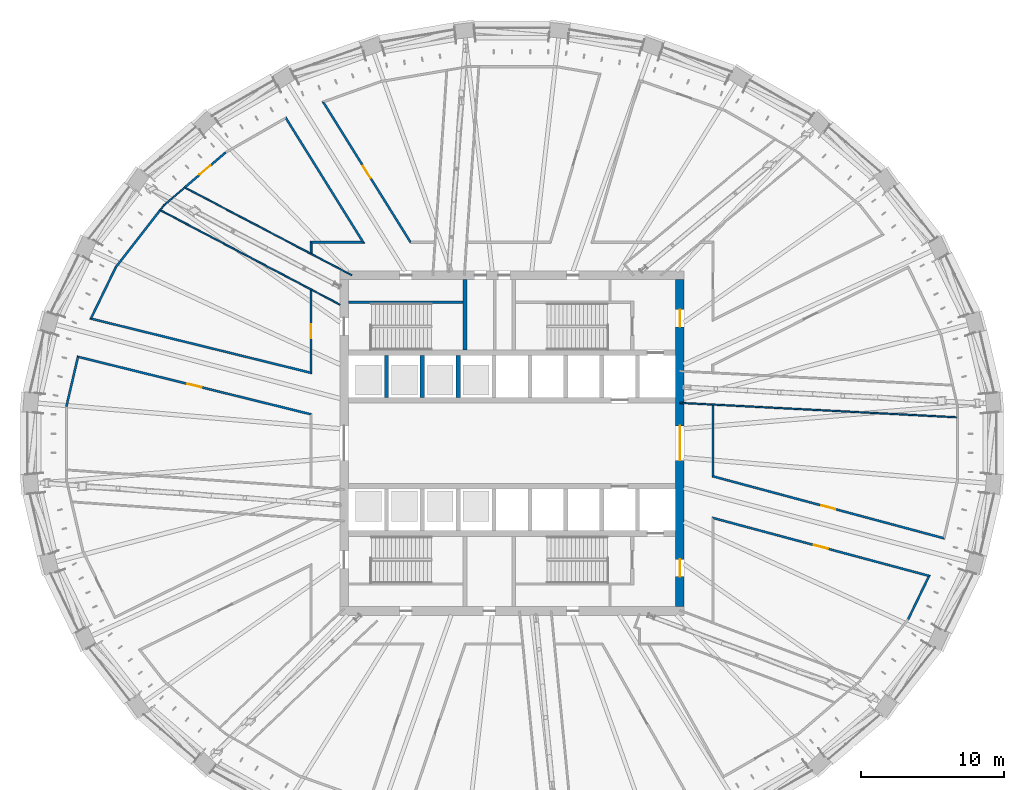
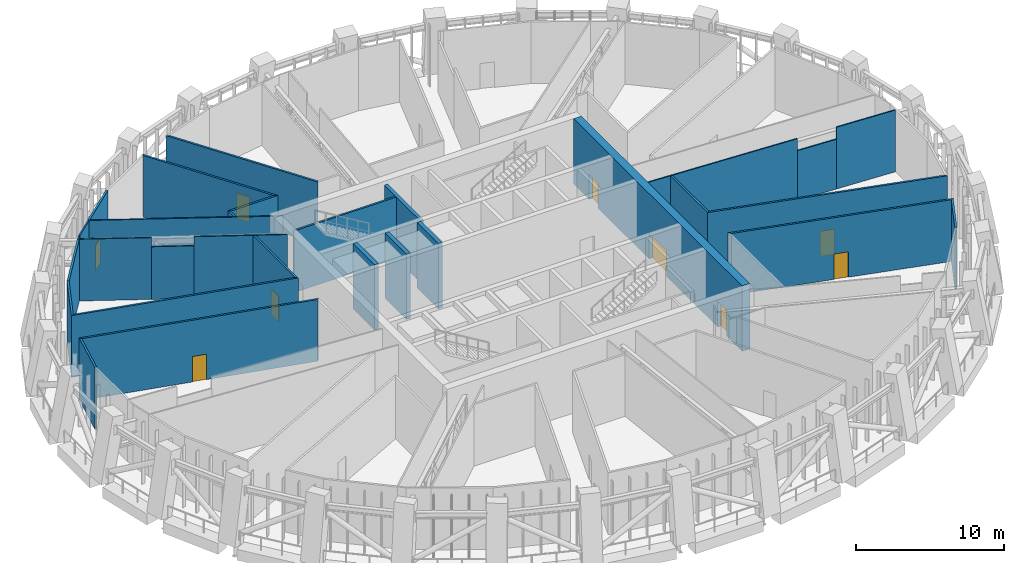
# One storey, part 9 of 21: 30 walls, 9 doors, 9 openings.
"""IFC4 building model written with IfcOpenShell, lengths in metres."""

from ifc_helpers import new_model, si_unit, direction, frame, frame_2d, origin, place, context, subcontext, project, spatial, polyline, rectangle, outline, extrude, material, layer, layer_set, type_object, element, fill, save


model = new_model("IFC4")

# Units and contexts
model_context = context("Model", 3, precision=1e-05, world=origin(), true_north=direction((0.0, 1.0)))
body_context = subcontext(model_context, "Body", "Model", "MODEL_VIEW")
ifc_project = project(units=[si_unit("LENGTHUNIT", "METRE"), si_unit("AREAUNIT", "SQUARE_METRE"), si_unit("VOLUMEUNIT", "CUBIC_METRE"), si_unit("PLANEANGLEUNIT", "RADIAN"), si_unit("MASSUNIT", "GRAM", prefix="KILO")], contexts=[model_context])

# Site, building, storey
site_placement = place(None, origin())
site = spatial("IfcSite", under=ifc_project, at=site_placement, CompositionType="ELEMENT")
building_placement = place(site_placement, origin())
building = spatial("IfcBuilding", under=site, at=building_placement, Name="Halqa Exchange Tower", CompositionType="ELEMENT")
storey_placement = place(building_placement, frame((0.0, 0.0, 173.5)))
storey = spatial("IfcBuildingStorey", under=building, at=storey_placement, Name="L39", CompositionType="ELEMENT", Elevation=173.5)

# Walls
ifc_material_1 = material(Name="Fire-rated gypsum board")
ifc_layer_1 = layer(ifc_material_1, 0.14990234375)
ifc_layer_set_1 = layer_set([ifc_layer_1], Name="Fire-rated gypsum board")
wall_type_1 = type_object("IfcWallType", Name="Fire partition EI 60 150", PredefinedType="PARTITIONING", material=ifc_layer_set_1)
wall_1_placement = place(storey_placement, frame((-30.23291015625, 6.093994140625, 0.0), z_axis=(0.0, 0.0, 1.0), x_axis=(-0.226672533553, -0.973971027563, 0.0)))
element("IfcWall", 1, at=wall_1_placement, inside=storey, type_object=wall_type_1, Name="L39-PWL-007", PredefinedType="PARTITIONING", context=body_context, shape_type="SweptSolid", body=[
    extrude(outline(polyline([(0.0, -0.074951171875), (1.828857421875, -0.074951171875), (3.657470703125, -0.074951171875), (3.640380859375, 0.074951171875), (1.89599609375, 0.074951171875), (0.15185546875, 0.074951171875), (0.0, -0.07470703125), (0.0, -0.074951171875)])), origin(), (0.0, 0.0, 1.0), 5.10009765625),
])
wall_2_placement = place(storey_placement, frame((-29.43994140625, 8.7021484375, 0.0), z_axis=(0.0, 0.0, 1.0), x_axis=(0.970993786042, -0.239104720713, 0.0)))
element("IfcWall", 2, at=wall_2_placement, inside=storey, type_object=wall_type_1, Name="L39-PWL-009", PredefinedType="PARTITIONING", context=body_context, shape_type="SweptSolid", body=[
    extrude(outline(polyline([(0.0, -0.074951171875), (1.99951171875, -0.074951171875), (3.999267578125, -0.074951171875), (5.998779296875, -0.074951171875), (7.998291015625, -0.074951171875), (9.998046875, -0.074951171875), (11.99755859375, -0.074951171875), (13.9970703125, -0.074951171875), (15.996826171875, -0.074951171875), (15.805419921875, 0.074951171875), (13.852783203125, 0.074951171875), (11.900390625, 0.074951171875), (9.94775390625, 0.074951171875), (7.995361328125, 0.074951171875), (6.042724609375, 0.074951171875), (4.09033203125, 0.074951171875), (2.1376953125, 0.074951171875), (0.185302734375, 0.074951171875), (0.0, -0.074951171875)])), origin(), (0.0, 0.0, 1.0), 5.10009765625),
])
wall_3_placement = place(storey_placement, frame((-27.606689453125, 12.277099609375, 0.0), z_axis=(0.0, 0.0, 1.0), x_axis=(-0.436124110256, -0.899886526432, 0.0)))
element("IfcWall", 3, at=wall_3_placement, inside=storey, type_object=wall_type_1, Name="L39-PWL-011", PredefinedType="PARTITIONING", context=body_context, shape_type="SweptSolid", body=[
    extrude(outline(polyline([(4.08984375, -0.074951171875), (4.08984375, -0.074951171875), (3.90478515625, 0.074951171875), (1.960205078125, 0.074951171875), (0.015625, 0.074951171875), (0.0, -0.07421875), (0.0, -0.074951171875), (1.36328125, -0.074951171875), (2.7265625, -0.074951171875), (4.08984375, -0.074951171875)])), origin(), (0.0, 0.0, 1.0), 5.10009765625),
])
wall_4_placement = place(storey_placement, frame((-24.52001953125, 16.239990234375, 0.0), z_axis=(0.0, 0.0, 1.0), x_axis=(-0.614245825057, -0.789114735891, 0.0)))
element("IfcWall", 4, at=wall_4_placement, inside=storey, type_object=wall_type_1, Name="L39-PWL-014", PredefinedType="PARTITIONING", context=body_context, shape_type="SweptSolid", body=[
    extrude(outline(polyline([(5.03857421875, -0.074951171875), (5.03857421875, -0.07373046875), (5.02294921875, 0.074951171875), (3.3486328125, 0.074951171875), (1.67431640625, 0.074951171875), (0.0, 0.074951171875), (0.0, -0.074951171875), (1.679443359375, -0.074951171875), (3.359130859375, -0.074951171875), (5.03857421875, -0.074951171875)])), origin(), (0.0, 0.0, 1.0), 5.10009765625),
])

# Wall, opening, door
wall_5_placement = place(storey_placement, frame((-19.95458984375, 20.2646484375, 0.0), z_axis=(0.0, 0.0, 1.0), x_axis=(-0.759646161608, -0.65033661219, 0.0)))
wall_5 = element("IfcWall", 5, at=wall_5_placement, inside=storey, type_object=wall_type_1, Name="L39-PWL-023", PredefinedType="PARTITIONING", context=body_context, shape_type="SweptSolid", body=[
    extrude(outline(polyline([(3.759033203125, 0.074951171875), (1.88671875, 0.074951171875), (0.01416015625, 0.074951171875), (0.0, -0.074951171875), (1.879638671875, -0.074951171875), (3.759033203125, -0.074951171875), (3.759033203125, 0.074951171875)])), origin(), (0.0, 0.0, 1.0), 5.10009765625),
])
opening_1_placement = place(wall_5_placement, frame((1.383056640625, 0.0, 0.0)))
opening_1 = element("IfcOpeningElement", 6, at=opening_1_placement, cuts=wall_5, Name="Opening L39-14", PredefinedType="OPENING", context=body_context, shape_type="SweptSolid", body=[
    extrude(rectangle(XDim=1.0, YDim=2.10009765625, at=frame_2d((0.5, 1.050048828125))), frame((0.0, 0.0869140625, 0.0), z_axis=(0.0, -1.0, 0.0), x_axis=(1.0, 0.0, 0.0)), (0.0, 0.0, 1.0), 0.173828125),
])
ifc_material_2 = material(Name="Steel fire door leaf", Category="steel")
door_type_1 = type_object("IfcDoorType", Name="Fire door FD30S 1000 x 2100", OperationType="SINGLE_SWING_LEFT", PredefinedType="DOOR", material=ifc_material_2)
door_1_placement = place(opening_1_placement, origin())
door_1 = element("IfcDoor", 7, at=door_1_placement, inside=storey, type_object=door_type_1, Name="L39-IDR-014", OperationType="SINGLE_SWING_LEFT", OverallHeight=2.10009765625, OverallWidth=1.0, PredefinedType="DOOR", context=body_context, shape_type="SweptSolid", body=[
    extrude(rectangle(XDim=1.0, YDim=2.10009765625, at=frame_2d((0.5, 1.050048828125))), frame((0.0, 0.02490234375, 0.0), z_axis=(0.0, -1.0, 0.0), x_axis=(1.0, 0.0, 0.0)), (0.0, 0.0, 1.0), 0.050048828125),
])
fill(opening_1, door_1)

# Wall
wall_6_placement = place(storey_placement, frame((-15.798095703125, 22.72119140625, 0.0), z_axis=(0.0, 0.0, 1.0), x_axis=(0.528422889456, -0.848981301266, 0.0)))
element("IfcWall", 8, at=wall_6_placement, inside=storey, type_object=wall_type_1, Name="L39-PWL-027", PredefinedType="PARTITIONING", context=body_context, shape_type="SweptSolid", body=[
    extrude(outline(polyline([(0.144287109375, -0.074951171875), (2.14306640625, -0.074951171875), (4.1416015625, -0.074951171875), (6.140380859375, -0.074951171875), (8.13916015625, -0.074951171875), (10.1376953125, -0.074951171875), (10.407470703125, 0.074951171875), (10.407470703125, 0.074951171875), (8.6728515625, 0.074951171875), (6.938232421875, 0.074951171875), (5.20361328125, 0.074951171875), (3.46923828125, 0.074951171875), (1.734619140625, 0.074951171875), (0.0, 0.074951171875), (0.0, 0.074951171875), (0.144287109375, -0.074951171875)])), origin(), (0.0, 0.0, 1.0), 5.10009765625),
])

# Wall, opening, door
wall_7_placement = place(storey_placement, frame((-13.943115234375, 1.995849609375, 0.0), z_axis=(0.0, 0.0, 1.0), x_axis=(-0.970875987764, 0.239582587814, 0.0)))
wall_7 = element("IfcWall", 9, at=wall_7_placement, inside=storey, type_object=wall_type_1, Name="L39-PWL-031", PredefinedType="PARTITIONING", context=body_context, shape_type="SweptSolid", body=[
    extrude(outline(polyline([(0.0, -0.074951171875), (1.874755859375, -0.074951171875), (3.749267578125, -0.074951171875), (5.6240234375, -0.074951171875), (7.49853515625, -0.074951171875), (9.373291015625, -0.074951171875), (11.248046875, -0.074951171875), (13.12255859375, -0.074951171875), (14.997314453125, -0.074951171875), (16.871826171875, -0.074951171875), (16.719970703125, 0.074951171875), (14.875244140625, 0.074951171875), (13.030517578125, 0.074951171875), (11.185791015625, 0.074951171875), (9.341064453125, 0.074951171875), (7.496337890625, 0.074951171875), (5.651611328125, 0.074951171875), (3.806884765625, 0.074951171875), (1.962158203125, 0.074951171875), (0.117431640625, 0.074951171875), (0.0, -0.074951171875)])), origin(), (0.0, 0.0, 1.0), 5.10009765625),
])
opening_2_placement = place(wall_7_placement, frame((7.927490234375, 0.0, 0.0)))
opening_2 = element("IfcOpeningElement", 10, at=opening_2_placement, cuts=wall_7, Name="Opening L39-16", PredefinedType="OPENING", context=body_context, shape_type="SweptSolid", body=[
    extrude(rectangle(XDim=1.0, YDim=2.10009765625, at=frame_2d((0.5, 1.050048828125))), frame((0.0, 0.0869140625, 0.0), z_axis=(0.0, -1.0, 0.0), x_axis=(1.0, 0.0, 0.0)), (0.0, 0.0, 1.0), 0.173828125),
])
door_2_placement = place(opening_2_placement, origin())
door_2 = element("IfcDoor", 11, at=door_2_placement, inside=storey, type_object=door_type_1, Name="L39-IDR-016", OperationType="SINGLE_SWING_LEFT", OverallHeight=2.10009765625, OverallWidth=1.0, PredefinedType="DOOR", context=body_context, shape_type="SweptSolid", body=[
    extrude(rectangle(XDim=1.0, YDim=2.10009765625, at=frame_2d((0.5, 1.050048828125))), frame((0.0, 0.02490234375, 0.0), z_axis=(0.0, -1.0, 0.0), x_axis=(1.0, 0.0, 0.0)), (0.0, 0.0, 1.0), 0.050048828125),
])
fill(opening_2, door_2)

wall_8_placement = place(storey_placement, frame((-14.0, 4.80419921875, 0.0), z_axis=(0.0, 0.0, 1.0), x_axis=(0.0, 1.0, 0.0)))
wall_8 = element("IfcWall", 12, at=wall_8_placement, inside=storey, type_object=wall_type_1, Name="L39-PWL-032", PredefinedType="PARTITIONING", context=body_context, shape_type="SweptSolid", body=[
    extrude(outline(polyline([(0.000244140625, -0.074951171875), (1.936767578125, -0.074951171875), (3.873291015625, -0.074951171875), (5.809814453125, -0.074951171875), (5.88818359375, 0.073974609375), (5.88818359375, 0.074951171875), (3.9892578125, 0.074951171875), (2.09033203125, 0.074951171875), (0.19140625, 0.074951171875), (0.095703125, 0.0), (0.000244140625, -0.074951171875)])), origin(), (0.0, 0.0, 1.0), 5.10009765625),
])
opening_3_placement = place(wall_8_placement, frame((2.49560546875, 0.0, 0.0)))
opening_3 = element("IfcOpeningElement", 13, at=opening_3_placement, cuts=wall_8, Name="Opening L39-15", PredefinedType="OPENING", context=body_context, shape_type="SweptSolid", body=[
    extrude(rectangle(XDim=1.0, YDim=2.10009765625, at=frame_2d((0.5, 1.050048828125))), frame((0.0, 0.0869140625, 0.0), z_axis=(0.0, -1.0, 0.0), x_axis=(1.0, 0.0, 0.0)), (0.0, 0.0, 1.0), 0.173828125),
])
door_3_placement = place(opening_3_placement, origin())
door_3 = element("IfcDoor", 14, at=door_3_placement, inside=storey, type_object=door_type_1, Name="L39-IDR-015", OperationType="SINGLE_SWING_LEFT", OverallHeight=2.10009765625, OverallWidth=1.0, PredefinedType="DOOR", context=body_context, shape_type="SweptSolid", body=[
    extrude(rectangle(XDim=1.0, YDim=2.10009765625, at=frame_2d((0.5, 1.050048828125))), frame((0.0, 0.02490234375, 0.0), z_axis=(0.0, -1.0, 0.0), x_axis=(1.0, 0.0, 0.0)), (0.0, 0.0, 1.0), 0.050048828125),
])
fill(opening_3, door_3)

# Walls
wall_9_placement = place(storey_placement, frame((-14.0, 13.20947265625, 0.0), z_axis=(0.0, 0.0, 1.0), x_axis=(0.0, 1.0, 0.0)))
element("IfcWall", 15, at=wall_9_placement, inside=storey, type_object=wall_type_1, Name="L39-PWL-033", PredefinedType="PARTITIONING", context=body_context, shape_type="SweptSolid", body=[
    extrude(outline(polyline([(0.0, -0.074951171875), (0.715576171875, -0.074951171875), (0.865478515625, 0.074951171875), (0.078369140625, 0.074951171875), (0.0, -0.07421875), (0.0, -0.074951171875)])), origin(), (0.0, 0.0, 1.0), 5.10009765625),
])
wall_10_placement = place(storey_placement, frame((-14.074951171875, 14.0, 0.0), z_axis=(0.0, 0.0, 1.0), x_axis=(1.0, 0.0, 0.0)))
element("IfcWall", 16, at=wall_10_placement, inside=storey, type_object=wall_type_1, Name="L39-PWL-034", PredefinedType="PARTITIONING", context=body_context, shape_type="SweptSolid", body=[
    extrude(outline(polyline([(3.83984375, -0.074951171875), (3.83984375, -0.074951171875), (3.570068359375, 0.074951171875), (1.784912109375, 0.074951171875), (0.0, 0.074951171875), (0.14990234375, -0.074951171875), (1.994873046875, -0.074951171875), (3.83984375, -0.074951171875)])), origin(), (0.0, 0.0, 1.0), 5.10009765625),
])

# Wall, opening, door
wall_11_placement = place(storey_placement, frame((-13.209228515625, 23.859130859375, 0.0), z_axis=(0.0, 0.0, 1.0), x_axis=(0.528582374975, -0.848882013513, 0.0)))
wall_11 = element("IfcWall", 17, at=wall_11_placement, inside=storey, type_object=wall_type_1, Name="L39-PWL-035", PredefinedType="PARTITIONING", context=body_context, shape_type="SweptSolid", body=[
    extrude(outline(polyline([(11.656005859375, -0.074951171875), (11.656005859375, -0.074951171875), (11.57275390625, 0.074951171875), (9.675048828125, 0.074951171875), (7.77734375, 0.074951171875), (5.879638671875, 0.074951171875), (3.98193359375, 0.074951171875), (2.084228515625, 0.074951171875), (0.1865234375, 0.074951171875), (0.0, -0.074951171875), (1.942626953125, -0.074951171875), (3.885498046875, -0.074951171875), (5.828125, -0.074951171875), (7.770751953125, -0.074951171875), (9.71337890625, -0.074951171875), (11.656005859375, -0.074951171875)])), origin(), (0.0, 0.0, 1.0), 5.10009765625),
])
opening_4_placement = place(wall_11_placement, frame((5.353759765625, 0.0, 0.0)))
opening_4 = element("IfcOpeningElement", 18, at=opening_4_placement, cuts=wall_11, Name="Opening L39-13", PredefinedType="OPENING", context=body_context, shape_type="SweptSolid", body=[
    extrude(rectangle(XDim=1.0, YDim=2.10009765625, at=frame_2d((0.5, 1.050048828125))), frame((0.0, 0.0869140625, 0.0), z_axis=(0.0, -1.0, 0.0), x_axis=(1.0, 0.0, 0.0)), (0.0, 0.0, 1.0), 0.173828125),
])
door_4_placement = place(opening_4_placement, origin())
door_4 = element("IfcDoor", 19, at=door_4_placement, inside=storey, type_object=door_type_1, Name="L39-IDR-013", OperationType="SINGLE_SWING_RIGHT", OverallHeight=2.10009765625, OverallWidth=1.0, PredefinedType="DOOR", context=body_context, shape_type="SweptSolid", body=[
    extrude(rectangle(XDim=1.0, YDim=2.10009765625, at=frame_2d((0.5, 1.050048828125))), frame((0.0, 0.02490234375, 0.0), z_axis=(0.0, -1.0, 0.0), x_axis=(1.0, 0.0, 0.0)), (0.0, 0.0, 1.0), 0.050048828125),
])
fill(opening_4, door_4)

wall_12_placement = place(storey_placement, frame((13.9443359375, -2.295166015625, 0.0), z_axis=(0.0, 0.0, 1.0), x_axis=(0.965875889864, -0.259005338516, 0.0)))
wall_12 = element("IfcWall", 20, at=wall_12_placement, inside=storey, type_object=wall_type_1, Name="L39-PWL-081", PredefinedType="PARTITIONING", context=body_context, shape_type="SweptSolid", body=[
    extrude(outline(polyline([(16.814208984375, -0.074951171875), (16.814208984375, -0.07470703125), (16.659423828125, 0.074951171875), (14.821044921875, 0.074951171875), (12.98291015625, 0.074951171875), (11.14453125, 0.074951171875), (9.306396484375, 0.074951171875), (7.468017578125, 0.074951171875), (5.6298828125, 0.074951171875), (3.79150390625, 0.074951171875), (1.953369140625, 0.074951171875), (0.114990234375, 0.074951171875), (0.0, -0.074951171875), (1.8681640625, -0.074951171875), (3.736572265625, -0.074951171875), (5.604736328125, -0.074951171875), (7.472900390625, -0.074951171875), (9.34130859375, -0.074951171875), (11.20947265625, -0.074951171875), (13.07763671875, -0.074951171875), (14.946044921875, -0.074951171875), (16.814208984375, -0.074951171875)])), origin(), (0.0, 0.0, 1.0), 5.10009765625),
])
opening_5_placement = place(wall_12_placement, frame((7.897216796875, 0.0, 0.0)))
opening_5 = element("IfcOpeningElement", 21, at=opening_5_placement, cuts=wall_12, Name="Opening L39-08", PredefinedType="OPENING", context=body_context, shape_type="SweptSolid", body=[
    extrude(rectangle(XDim=1.0, YDim=2.10009765625, at=frame_2d((0.5, 1.050048828125))), frame((0.0, 0.0869140625, 0.0), z_axis=(0.0, -1.0, 0.0), x_axis=(1.0, 0.0, 0.0)), (0.0, 0.0, 1.0), 0.173828125),
])
door_5_placement = place(opening_5_placement, origin())
door_5 = element("IfcDoor", 22, at=door_5_placement, inside=storey, type_object=door_type_1, Name="L39-IDR-008", OperationType="SINGLE_SWING_LEFT", OverallHeight=2.10009765625, OverallWidth=1.0, PredefinedType="DOOR", context=body_context, shape_type="SweptSolid", body=[
    extrude(rectangle(XDim=1.0, YDim=2.10009765625, at=frame_2d((0.5, 1.050048828125))), frame((0.0, 0.02490234375, 0.0), z_axis=(0.0, -1.0, 0.0), x_axis=(1.0, 0.0, 0.0)), (0.0, 0.0, 1.0), 0.050048828125),
])
fill(opening_5, door_5)

# Walls
wall_13_placement = place(storey_placement, frame((14.0, 2.6435546875, 0.0), z_axis=(0.0, 0.0, 1.0), x_axis=(0.0, -1.0, 0.0)))
element("IfcWall", 23, at=wall_13_placement, inside=storey, type_object=wall_type_1, Name="L39-PWL-082", PredefinedType="PARTITIONING", context=body_context, shape_type="SweptSolid", body=[
    extrude(outline(polyline([(5.010986328125, -0.074951171875), (5.010986328125, -0.074951171875), (4.95361328125, 0.0), (4.89599609375, 0.074951171875), (3.2666015625, 0.074951171875), (1.636962890625, 0.074951171875), (0.007568359375, 0.074951171875), (0.0, -0.0703125), (0.0, -0.074951171875), (1.67041015625, -0.074951171875), (3.340576171875, -0.074951171875), (5.010986328125, -0.074951171875)])), origin(), (0.0, 0.0, 1.0), 5.10009765625),
])
wall_14_placement = place(storey_placement, frame((27.6064453125, -12.277099609375, 0.0), z_axis=(0.0, 0.0, 1.0), x_axis=(0.435324358796, 0.900273682076, 0.0)))
element("IfcWall", 24, at=wall_14_placement, inside=storey, type_object=wall_type_1, Name="L39-PWL-095", PredefinedType="PARTITIONING", context=body_context, shape_type="SweptSolid", body=[
    extrude(outline(polyline([(3.452880859375, -0.074951171875), (3.452880859375, -0.07470703125), (3.27197265625, 0.074951171875), (1.643798828125, 0.074951171875), (0.015869140625, 0.074951171875), (0.0, -0.074951171875), (1.7265625, -0.074951171875), (3.452880859375, -0.074951171875)])), origin(), (0.0, 0.0, 1.0), 5.10009765625),
])

# Wall, opening, door
wall_15_placement = place(storey_placement, frame((29.15771484375, -9.2734375, 0.0), z_axis=(0.0, 0.0, 1.0), x_axis=(-0.965897178418, 0.258925936756, 0.0)))
wall_15 = element("IfcWall", 25, at=wall_15_placement, inside=storey, type_object=wall_type_1, Name="L39-PWL-097", PredefinedType="PARTITIONING", context=body_context, shape_type="SweptSolid", body=[
    extrude(outline(polyline([(0.0, -0.074951171875), (1.973876953125, -0.074951171875), (3.94775390625, -0.074951171875), (5.92138671875, -0.074951171875), (7.895263671875, -0.074951171875), (9.869140625, -0.074951171875), (11.8427734375, -0.074951171875), (13.816650390625, -0.074951171875), (15.79052734375, -0.074951171875), (15.594970703125, 0.074951171875), (13.66845703125, 0.074951171875), (11.74169921875, 0.074951171875), (9.81494140625, 0.074951171875), (7.88818359375, 0.074951171875), (5.96142578125, 0.074951171875), (4.03466796875, 0.074951171875), (2.10791015625, 0.074951171875), (0.181396484375, 0.074951171875), (0.0, -0.074951171875)])), origin(), (0.0, 0.0, 1.0), 5.10009765625),
])
opening_6_placement = place(wall_15_placement, frame((7.3916015625, 0.0, 0.0)))
opening_6 = element("IfcOpeningElement", 26, at=opening_6_placement, cuts=wall_15, Name="Opening L39-07", PredefinedType="OPENING", context=body_context, shape_type="SweptSolid", body=[
    extrude(rectangle(XDim=1.0, YDim=2.10009765625, at=frame_2d((0.5, 1.050048828125))), frame((0.0, 0.0869140625, 0.0), z_axis=(0.0, -1.0, 0.0), x_axis=(1.0, 0.0, 0.0)), (0.0, 0.0, 1.0), 0.173828125),
])
door_6_placement = place(opening_6_placement, origin())
door_6 = element("IfcDoor", 27, at=door_6_placement, inside=storey, type_object=door_type_1, Name="L39-IDR-007", OperationType="SINGLE_SWING_RIGHT", OverallHeight=2.10009765625, OverallWidth=1.0, PredefinedType="DOOR", context=body_context, shape_type="SweptSolid", body=[
    extrude(rectangle(XDim=1.0, YDim=2.10009765625, at=frame_2d((0.5, 1.050048828125))), frame((0.0, 0.02490234375, 0.0), z_axis=(0.0, -1.0, 0.0), x_axis=(1.0, 0.0, 0.0)), (0.0, 0.0, 1.0), 0.050048828125),
])
fill(opening_6, door_6)

# Walls
ifc_material_3 = material(Name="Gypsum board")
ifc_layer_2 = layer(ifc_material_3, 0.10009765625)
ifc_layer_set_2 = layer_set([ifc_layer_2], Name="Gypsum board")
wall_type_2 = type_object("IfcWallType", Name="Partition 100 gypsum", PredefinedType="PARTITIONING", material=ifc_layer_set_2)
wall_16_placement = place(storey_placement, frame((-24.46630859375, 16.2119140625, 0.0), z_axis=(0.0, 0.0, 1.0), x_axis=(0.885147732947, -0.465310101824, 0.0)))
element("IfcWall", 28, at=wall_16_placement, inside=storey, type_object=wall_type_2, Name="L39-PWL-015", PredefinedType="PARTITIONING", context=body_context, shape_type="SweptSolid", body=[
    extrude(outline(polyline([(0.0, 0.050048828125), (0.0, -0.010986328125), (0.01318359375, -0.013427734375), (0.006591796875, -0.050048828125), (1.64208984375, -0.050048828125), (3.27734375, -0.050048828125), (4.91259765625, -0.050048828125), (4.91259765625, 0.050048828125), (3.275146484375, 0.050048828125), (1.637451171875, 0.050048828125), (0.0, 0.050048828125)])), origin(), (0.0, 0.0, 1.0), 5.10009765625),
])
wall_17_placement = place(storey_placement, frame((-24.257080078125, 16.57373046875, 0.0), z_axis=(0.0, 0.0, 1.0), x_axis=(-0.618861483016, -0.785500136753, 0.0)))
element("IfcWall", 29, at=wall_17_placement, inside=storey, type_object=wall_type_2, Name="L39-PWL-017", PredefinedType="PARTITIONING", context=body_context, shape_type="SweptSolid", body=[
    extrude(outline(polyline([(0.4248046875, 0.050048828125), (0.009521484375, 0.050048828125), (0.0, -0.049072265625), (0.0, -0.050048828125), (0.4248046875, -0.050048828125), (0.4248046875, 0.050048828125)])), origin(), (0.0, 0.0, 1.0), 5.10009765625),
])
wall_18_placement = place(storey_placement, frame((-22.81005859375, 17.820068359375, 0.0), z_axis=(0.0, 0.0, 1.0), x_axis=(-0.757394776299, -0.652957236605, 0.0)))
element("IfcWall", 30, at=wall_18_placement, inside=storey, type_object=wall_type_2, Name="L39-PWL-018", PredefinedType="PARTITIONING", context=body_context, shape_type="SweptSolid", body=[
    extrude(outline(polyline([(1.919189453125, -0.050048828125), (1.919189453125, -0.049560546875), (1.90966796875, 0.050048828125), (0.0, 0.050048828125), (0.0, -0.050048828125), (1.919189453125, -0.050048828125)])), origin(), (0.0, 0.0, 1.0), 5.10009765625),
])
wall_19_placement = place(storey_placement, frame((-22.779541015625, 17.803955078125, 0.0), z_axis=(0.0, 0.0, 1.0), x_axis=(0.885281896564, -0.465054796359, 0.0)))
element("IfcWall", 31, at=wall_19_placement, inside=storey, type_object=wall_type_2, Name="L39-PWL-019", PredefinedType="PARTITIONING", context=body_context, shape_type="SweptSolid", body=[
    extrude(outline(polyline([(13.125244140625, 0.050048828125), (11.46875, 0.050048828125), (9.812255859375, 0.050048828125), (9.8076171875, 0.047607421875), (9.80615234375, 0.050048828125), (7.858154296875, 0.050048828125), (5.91015625, 0.050048828125), (3.962158203125, 0.050048828125), (2.01416015625, 0.050048828125), (0.066162109375, 0.050048828125), (0.035400390625, -0.02783203125), (0.011962890625, -0.0185546875), (0.0, -0.048828125), (0.0, -0.050048828125), (1.875, -0.050048828125), (3.75, -0.050048828125), (5.625, -0.050048828125), (7.500244140625, -0.050048828125), (9.375244140625, -0.050048828125), (11.250244140625, -0.050048828125), (13.125244140625, -0.050048828125), (13.125244140625, 0.050048828125)])), origin(), (0.0, 0.0, 1.0), 5.10009765625),
])
wall_20_placement = place(storey_placement, frame((11.699951171875, 2.81005859375, 0.0), z_axis=(0.0, 0.0, 1.0), x_axis=(0.998641080994, -0.052115173904, 0.0)))
element("IfcWall", 32, at=wall_20_placement, inside=storey, type_object=wall_type_2, Name="L39-PWL-075", PredefinedType="PARTITIONING", context=body_context, shape_type="SweptSolid", body=[
    extrude(outline(polyline([(0.0, 0.050048828125), (0.0, -0.050048828125), (1.978515625, -0.050048828125), (3.95703125, -0.050048828125), (5.935546875, -0.050048828125), (7.913818359375, -0.050048828125), (9.892333984375, -0.050048828125), (11.870849609375, -0.050048828125), (11.870849609375, 0.050048828125), (9.892333984375, 0.050048828125), (7.913818359375, 0.050048828125), (5.935546875, 0.050048828125), (3.95703125, 0.050048828125), (1.978515625, 0.050048828125), (0.0, 0.050048828125)])), origin(), (0.0, 0.0, 1.0), 5.10009765625),
])
wall_21_placement = place(storey_placement, frame((-20.117919921875, 13.926025390625, 0.0), z_axis=(0.0, 0.0, 1.0), x_axis=(0.885137757347, -0.465329077663, 0.0)))
element("IfcWall", 33, at=wall_21_placement, inside=storey, type_object=wall_type_2, Name="L39-PWL-106", PredefinedType="PARTITIONING", context=body_context, shape_type="SweptSolid", body=[
    extrude(outline(polyline([(0.0, 0.050048828125), (0.0, -0.050048828125), (1.4345703125, -0.050048828125), (2.869384765625, -0.050048828125), (2.869384765625, 0.050048828125), (1.4345703125, 0.050048828125), (0.0, 0.050048828125)])), origin(), (0.0, 0.0, 1.0), 4.346923828125),
])
wall_22_placement = place(storey_placement, frame((-17.578125, 12.5908203125, 0.0), z_axis=(0.0, 0.0, 1.0), x_axis=(0.885170176666, -0.465267405199, 0.0)))
element("IfcWall", 34, at=wall_22_placement, inside=storey, type_object=wall_type_2, Name="L39-PWL-107", PredefinedType="PARTITIONING", context=body_context, shape_type="SweptSolid", body=[
    extrude(outline(polyline([(0.0, -0.050048828125), (1.3837890625, -0.050048828125), (2.767578125, -0.050048828125), (4.1513671875, -0.050048828125), (4.15283203125, -0.04931640625), (4.1533203125, -0.050048828125), (6.323486328125, -0.050048828125), (6.323486328125, 0.050048828125), (4.74267578125, 0.050048828125), (3.16162109375, 0.050048828125), (1.580810546875, 0.050048828125), (0.0, 0.050048828125), (0.0, -0.050048828125)])), origin(), (0.0, 0.0, 1.0), 5.10009765625),
])
wall_23_placement = place(storey_placement, frame((23.5546875, 2.19140625, 0.0), z_axis=(0.0, 0.0, 1.0), x_axis=(0.998646460833, -0.052011981941, 0.0)))
element("IfcWall", 35, at=wall_23_placement, inside=storey, type_object=wall_type_2, Name="L39-PWL-115", PredefinedType="PARTITIONING", context=body_context, shape_type="SweptSolid", body=[
    extrude(outline(polyline([(0.0, 0.050048828125), (0.0, -0.050048828125), (1.48779296875, -0.050048828125), (2.975830078125, -0.050048828125), (2.975830078125, 0.050048828125), (1.48779296875, 0.050048828125), (0.0, 0.050048828125)])), origin(), (0.0, 0.0, 1.0), 4.110107421875),
])
wall_24_placement = place(storey_placement, frame((26.526611328125, 2.03662109375, 0.0), z_axis=(0.0, 0.0, 1.0), x_axis=(0.998640285455, -0.052130415947, 0.0)))
element("IfcWall", 36, at=wall_24_placement, inside=storey, type_object=wall_type_2, Name="L39-PWL-116", PredefinedType="PARTITIONING", context=body_context, shape_type="SweptSolid", body=[
    extrude(outline(polyline([(0.0, -0.050048828125), (1.489013671875, -0.050048828125), (2.97802734375, -0.050048828125), (4.467041015625, -0.050048828125), (4.463623046875, 0.01611328125), (4.486572265625, 0.017333984375), (4.486572265625, 0.050048828125), (2.990966796875, 0.050048828125), (1.49560546875, 0.050048828125), (0.0, 0.050048828125), (0.0, -0.050048828125)])), origin(), (0.0, 0.0, 1.0), 5.10009765625),
])
ifc_material_4 = material(Name="Concrete C60/75", Category="concrete")
ifc_layer_3 = layer(ifc_material_4, 0.300048828125)
ifc_layer_set_3 = layer_set([ifc_layer_3], Name="Concrete C60/75")
wall_type_3 = type_object("IfcWallType", Name="RC core wall 300", PredefinedType="SHEAR", material=ifc_layer_set_3)
for number, where, z_axis, x_axis, name in (
    (37, (-8.75, 3.199951171875, 0.0), (0.0, 0.0, 1.0), (0.0, 1.0, 0.0), "Shaft divider N1"),
    (38, (-6.25, 3.199951171875, 0.0), (0.0, 0.0, 1.0), (0.0, 1.0, 0.0), "Shaft divider N2"),
    (39, (-3.75, 3.199951171875, 0.0), (0.0, 0.0, 1.0), (0.0, 1.0, 0.0), "Shaft divider N3"),
):
    element("IfcWall", number, at=place(storey_placement, frame(where, z_axis=z_axis, x_axis=x_axis)), inside=storey, type_object=wall_type_3, Name=name, PredefinedType="SHEAR", context=body_context, shape_type="SweptSolid", body=[
        extrude(rectangle(XDim=2.900146484375, YDim=0.300048828125, at=frame_2d((1.4501953125, 0.0))), origin(), (0.0, 0.0, 1.0), 5.39990234375),
    ])

# Wall, openings, doors
ifc_material_5 = material(Name="Concrete C70/85", Category="concrete")
ifc_layer_4 = layer(ifc_material_5, 0.60009765625)
ifc_layer_set_4 = layer_set([ifc_layer_4], Name="Concrete C70/85")
wall_type_4 = type_object("IfcWallType", Name="RC core wall 600 C70/85", PredefinedType="SHEAR", material=ifc_layer_set_4)
wall_25_placement = place(storey_placement, frame((11.699951171875, -11.39990234375, 0.0), z_axis=(0.0, 0.0, 1.0), x_axis=(0.0, 1.0, 0.0)))
wall_25 = element("IfcWall", 40, at=wall_25_placement, inside=storey, type_object=wall_type_4, Name="Core wall east", PredefinedType="SHEAR", context=body_context, shape_type="SweptSolid", body=[
    extrude(rectangle(XDim=22.7998046875, YDim=0.60009765625, at=frame_2d((11.39990234375, 0.0))), origin(), (0.0, 0.0, 1.0), 5.39990234375),
])
opening_7_placement = place(wall_25_placement, frame((10.199951171875, 0.0, 0.0)))
opening_7 = element("IfcOpeningElement", 41, at=opening_7_placement, cuts=wall_25, Name="Opening L39-C06", PredefinedType="OPENING", context=body_context, shape_type="SweptSolid", body=[
    extrude(rectangle(XDim=2.39990234375, YDim=2.10009765625, at=frame_2d((1.199951171875, 1.050048828125))), frame((0.0, 0.31201171875, 0.0), z_axis=(0.0, -1.0, 0.0), x_axis=(1.0, 0.0, 0.0)), (0.0, 0.0, 1.0), 0.6240234375),
])
opening_8_placement = place(wall_25_placement, frame((19.5, 0.0, 0.0)))
opening_8 = element("IfcOpeningElement", 42, at=opening_8_placement, cuts=wall_25, Name="Opening L39-C11", PredefinedType="OPENING", context=body_context, shape_type="SweptSolid", body=[
    extrude(rectangle(XDim=1.199951171875, YDim=2.10009765625, at=frame_2d((0.60009765625, 1.050048828125))), frame((0.0, 0.31201171875, 0.0), z_axis=(0.0, -1.0, 0.0), x_axis=(1.0, 0.0, 0.0)), (0.0, 0.0, 1.0), 0.6240234375),
])
opening_9_placement = place(wall_25_placement, frame((2.10009765625, 0.0, 0.0)))
opening_9 = element("IfcOpeningElement", 43, at=opening_9_placement, cuts=wall_25, Name="Opening L39-C12", PredefinedType="OPENING", context=body_context, shape_type="SweptSolid", body=[
    extrude(rectangle(XDim=1.199951171875, YDim=2.10009765625, at=frame_2d((0.60009765625, 1.050048828125))), frame((0.0, 0.31201171875, 0.0), z_axis=(0.0, -1.0, 0.0), x_axis=(1.0, 0.0, 0.0)), (0.0, 0.0, 1.0), 0.6240234375),
])
door_type_2 = type_object("IfcDoorType", Name="Firefighting lobby door FD90 1200 x 2100", OperationType="SINGLE_SWING_RIGHT", PredefinedType="DOOR", material=ifc_material_2)
door_7_placement = place(opening_8_placement, origin())
door_7 = element("IfcDoor", 44, at=door_7_placement, inside=storey, type_object=door_type_2, Name="Firefighting lobby door", OperationType="SINGLE_SWING_RIGHT", OverallHeight=2.10009765625, OverallWidth=1.199951171875, PredefinedType="DOOR", context=body_context, shape_type="SweptSolid", body=[
    extrude(rectangle(XDim=1.199951171875, YDim=2.10009765625, at=frame_2d((0.60009765625, 1.050048828125))), frame((0.0, 0.02490234375, 0.0), z_axis=(0.0, -1.0, 0.0), x_axis=(1.0, 0.0, 0.0)), (0.0, 0.0, 1.0), 0.050048828125),
])
fill(opening_8, door_7)
door_8_placement = place(opening_9_placement, origin())
door_8 = element("IfcDoor", 45, at=door_8_placement, inside=storey, type_object=door_type_2, Name="Firefighting lobby door", OperationType="SINGLE_SWING_LEFT", OverallHeight=2.10009765625, OverallWidth=1.199951171875, PredefinedType="DOOR", context=body_context, shape_type="SweptSolid", body=[
    extrude(rectangle(XDim=1.199951171875, YDim=2.10009765625, at=frame_2d((0.60009765625, 1.050048828125))), frame((0.0, 0.02490234375, 0.0), z_axis=(0.0, -1.0, 0.0), x_axis=(1.0, 0.0, 0.0)), (0.0, 0.0, 1.0), 0.050048828125),
])
fill(opening_9, door_8)
door_type_3 = type_object("IfcDoorType", Name="Lobby double door FD60 2400 x 2100", OperationType="DOUBLE_DOOR_SINGLE_SWING", PredefinedType="DOOR", material=ifc_material_2)
door_9_placement = place(opening_7_placement, frame((2.39990234375, 0.0, 0.0), z_axis=(0.0, 0.0, 1.0), x_axis=(-1.0, 0.0, 0.0)))
door_9 = element("IfcDoor", 46, at=door_9_placement, inside=storey, type_object=door_type_3, Name="Lift lobby double door", OperationType="DOUBLE_DOOR_SINGLE_SWING", OverallHeight=2.10009765625, OverallWidth=2.39990234375, PredefinedType="DOOR", context=body_context, shape_type="SweptSolid", body=[
    extrude(rectangle(XDim=2.39990234375, YDim=2.10009765625, at=frame_2d((1.199951171875, 1.050048828125))), frame((0.0, 0.02490234375, 0.0), z_axis=(0.0, -1.0, 0.0), x_axis=(1.0, 0.0, 0.0)), (0.0, 0.0, 1.0), 0.050048828125),
])
fill(opening_7, door_9)

# Walls
ifc_material_6 = material(Name="Concrete C30/37", Category="concrete")
ifc_layer_5 = layer(ifc_material_6, 0.14990234375)
ifc_layer_set_5 = layer_set([ifc_layer_5], Name="Concrete C30/37")
wall_type_5 = type_object("IfcWallType", Name="RC stair wall 150 C30/37", PredefinedType="SHEAR", material=ifc_layer_set_5)
wall_26_placement = place(storey_placement, frame((-11.39990234375, 9.824951171875, 0.0), z_axis=(0.0, 0.0, 1.0), x_axis=(1.0, 0.0, 0.0)))
element("IfcWall", 47, at=wall_26_placement, inside=storey, type_object=wall_type_5, Name="Stair ST1 north wall N", PredefinedType="SHEAR", context=body_context, shape_type="SweptSolid", body=[
    extrude(rectangle(XDim=8.0, YDim=0.14990234375, at=frame_2d((4.0, 0.0))), origin(), (0.0, 0.0, 1.0), 5.10009765625),
])
ifc_layer_6 = layer(ifc_material_6, 0.25)
ifc_layer_set_6 = layer_set([ifc_layer_6], Name="Concrete C30/37")
wall_type_6 = type_object("IfcWallType", Name="RC stair wall 250 C30/37", PredefinedType="SHEAR", material=ifc_layer_set_6)
wall_27_placement = place(storey_placement, frame((-3.27490234375, 6.5, 0.0), z_axis=(0.0, 0.0, 1.0), x_axis=(0.0, 1.0, 0.0)))
element("IfcWall", 48, at=wall_27_placement, inside=storey, type_object=wall_type_6, Name="Stair ST1 east wall N", PredefinedType="SHEAR", context=body_context, shape_type="SweptSolid", body=[
    extrude(rectangle(XDim=4.89990234375, YDim=0.25, at=frame_2d((2.449951171875, 0.0))), origin(), (0.0, 0.0, 1.0), 5.10009765625),
])

save(model, "model.ifc")
